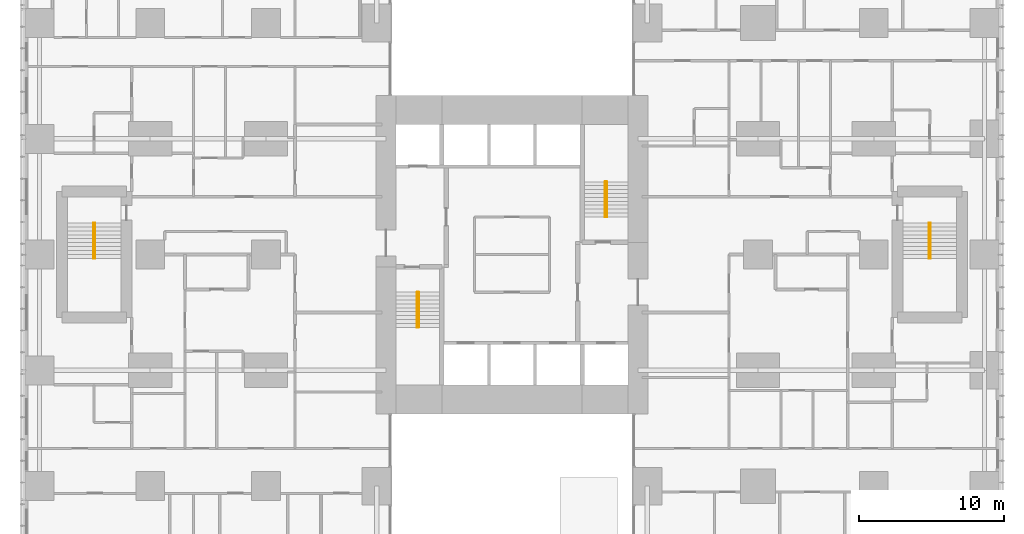
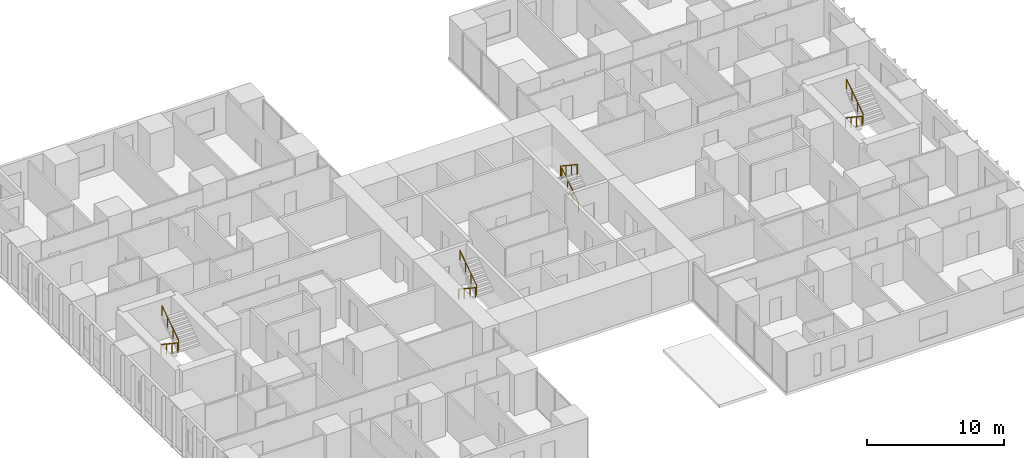
# One storey, part 22 of 22: 8 railings.
"""IFC4 building model written with IfcOpenShell, lengths in metres."""

import ifcopenshell
import ifcopenshell.guid

model = None  # the IFC model being written
_history = None  # IfcOwnerHistory: only IFC2X3 demands one
_inside = {}  # id of a spatial element -> (the spatial element, [elements in it])
_under = {}  # id of a project, library or spatial element -> (it, [spatial elements below it])
_declared = {}  # id of a project -> (the project, [libraries it declares])
_typed = {}  # id of a type object -> (the type object, [elements of that type])
_made_of = {}  # id of a material, layer set ... -> (it, [elements and type objects made of it])


def new_model(schema):
    """Start an empty IFC model of exactly this schema.

    Asked for "IFC4X3", IfcOpenShell would pick the latest addendum, in which some entities
    have other attributes; the version numbers below select the first issue.
    IFC2X3 requires an IfcOwnerHistory on every rooted entity: one is made here for all.
    """
    global model, _history
    if schema == "IFC4X3":
        model = ifcopenshell.file(schema_version=(4, 3, 0, 0))
    else:
        model = ifcopenshell.file(schema=schema)
    _inside.clear()
    _under.clear()
    _declared.clear()
    _typed.clear()
    _made_of.clear()
    _history = None
    if model.schema == "IFC2X3":
        org = make("IfcOrganization", Name="unknown")
        user = make(
            "IfcPersonAndOrganization",
            ThePerson=make("IfcPerson", FamilyName="unknown"),
            TheOrganization=org,
        )
        app = make(
            "IfcApplication",
            ApplicationDeveloper=org,
            Version="unknown",
            ApplicationFullName="unknown",
            ApplicationIdentifier="unknown",
        )
        _history = make(
            "IfcOwnerHistory",
            OwningUser=user,
            OwningApplication=app,
            ChangeAction="ADDED",
            CreationDate=0,
        )
    return model


def make(cls, **values):
    """One entity of the class cls with the attributes given. An attribute that is None is left unset."""
    return model.create_entity(
        cls, **{name: value for name, value in values.items() if value is not None}
    )


def rooted(cls, **values):
    """An entity with a GlobalId (a new one), such as an element, a storey or a relation."""
    return make(cls, GlobalId=ifcopenshell.guid.new(), OwnerHistory=_history, **values)


def si_unit(unit_type, name, prefix=None):
    """IfcSIUnit, for example si_unit("LENGTHUNIT", "METRE", prefix="MILLI")."""
    return make("IfcSIUnit", UnitType=unit_type, Prefix=prefix, Name=name)


def assignment(units):
    """IfcUnitAssignment: the units of a project."""
    return None if units is None else make("IfcUnitAssignment", Units=units)


def point(xyz):
    """IfcCartesianPoint."""
    return None if xyz is None else make("IfcCartesianPoint", Coordinates=xyz)


def direction(xyz):
    """IfcDirection."""
    return None if xyz is None else make("IfcDirection", DirectionRatios=xyz)


def frame(location, z_axis=None, x_axis=None):
    """IfcAxis2Placement3D, a coordinate frame: its origin and axes. An axis left out is left unset."""
    return make(
        "IfcAxis2Placement3D",
        Location=point(location),
        Axis=direction(z_axis),
        RefDirection=direction(x_axis),
    )


def frame_2d(location, x_axis=None):
    """IfcAxis2Placement2D, a coordinate frame in the plane: its origin and x axis."""
    return make(
        "IfcAxis2Placement2D", Location=point(location), RefDirection=direction(x_axis)
    )


def origin():
    """The frame at (0, 0, 0) with its axes left unset."""
    return frame((0.0, 0.0, 0.0))


def origin_2d():
    """The frame at (0, 0) in the plane with its x axis left unset."""
    return frame_2d((0.0, 0.0))


def place(relative_to, where):
    """IfcLocalPlacement: puts the frame where relative to a parent placement (None: the world)."""
    return make(
        "IfcLocalPlacement", PlacementRelTo=relative_to, RelativePlacement=where
    )


def context(
    kind, dimensions, precision=None, world=None, true_north=None, identifier=None
):
    """IfcGeometricRepresentationContext, for example the 3D "Model" context."""
    return make(
        "IfcGeometricRepresentationContext",
        ContextIdentifier=identifier,
        ContextType=kind,
        CoordinateSpaceDimension=dimensions,
        Precision=precision,
        WorldCoordinateSystem=world,
        TrueNorth=true_north,
    )


def subcontext(parent, identifier, kind, view, scale=None):
    """IfcGeometricRepresentationSubContext, for example "Body" below "Model"."""
    return make(
        "IfcGeometricRepresentationSubContext",
        ContextIdentifier=identifier,
        ContextType=kind,
        ParentContext=parent,
        TargetScale=scale,
        TargetView=view,
    )


def project(units=None, contexts=None):
    """IfcProject with its units and contexts."""
    return rooted(
        "IfcProject",
        Name="project",
        RepresentationContexts=contexts,
        UnitsInContext=assignment(units),
    )


def spatial(cls, under=None, at=None, **own):
    """A site, building, storey or space (cls), placed at a placement, below another one or the project."""
    s = rooted(cls, ObjectPlacement=at, **own)
    if under is not None:
        _under.setdefault(under.id(), (under, []))[1].append(s)
    return s


def profile(cls, at=None, kind="AREA", **sizes):
    """A parametric profile (cls). Its sizes go by their IFC names, for example OverallWidth=200.0."""
    return make(cls, ProfileType=kind, Position=at, **sizes)


def circle(**sizes):
    """IfcCircleProfileDef."""
    return profile("IfcCircleProfileDef", **sizes)


def extrude(swept, where, along, depth):
    """IfcExtrudedAreaSolid: the profile swept, set in the frame where, extruded along a direction by depth."""
    return make(
        "IfcExtrudedAreaSolid",
        SweptArea=swept,
        Position=where,
        ExtrudedDirection=direction(along),
        Depth=depth,
    )


def shape(context_of_items, identifier, shape_type, items):
    """IfcShapeRepresentation: the items that make up one representation, for example the "Body"."""
    return make(
        "IfcShapeRepresentation",
        ContextOfItems=context_of_items,
        RepresentationIdentifier=identifier,
        RepresentationType=shape_type,
        Items=items,
    )


def material(Name=None, Category=None):
    """IfcMaterial."""
    return make("IfcMaterial", Name=Name, Category=Category)


def made_of(thing, what):
    """Note that an element or type object is made of a material, layer set ...; save() writes the relation."""
    if what is not None:
        _made_of.setdefault(what.id(), (what, []))[1].append(thing)
    return thing


def type_object(cls, material=None, **own):
    """A type object (cls), such as IfcWallType, which elements share."""
    return made_of(rooted(cls, **own), material)


def element(
    cls,
    number,
    at=None,
    inside=None,
    cuts=None,
    type_object=None,
    material=None,
    context=None,
    identifier="Body",
    shape_type=None,
    held_by="IfcProductDefinitionShape",
    body=None,
    shapes=None,
    **own,
):
    """One element of the class cls, such as IfcWall. Its Tag is "e" and its number.

    at: its placement. inside: the storey or other place that contains it. cuts: it is an
    opening in that element (IfcRelVoidsElement). A single representation is given by context,
    identifier, shape_type and body (its items); several are given by shapes. held_by: the class
    of the entity that holds the representations. save() writes the other relations.
    """
    e = rooted(cls, Tag="e%d" % number, ObjectPlacement=at, **own)
    if body is not None:
        shapes = [shape(context, identifier, shape_type, body)]
    if shapes is not None:
        e.Representation = make(held_by, Representations=shapes)
    if inside is not None:
        _inside.setdefault(inside.id(), (inside, []))[1].append(e)
    if cuts is not None:
        rooted(
            "IfcRelVoidsElement", RelatingBuildingElement=cuts, RelatedOpeningElement=e
        )
    if type_object is not None:
        _typed.setdefault(type_object.id(), (type_object, []))[1].append(e)
    return made_of(e, material)


def aggregate(whole, parts):
    """IfcRelAggregates: a whole, such as a stair, and the parts it consists of."""
    return rooted("IfcRelAggregates", RelatingObject=whole, RelatedObjects=parts)


def save(model, path):
    """Write the relations noted so far, then the file.

    IfcRelAggregates (storeys below a building ...), IfcRelContainedInSpatialStructure (elements
    in a storey), IfcRelDefinesByType, IfcRelAssociatesMaterial and IfcRelDeclares: one each for
    every whole, place, type object, material and project.
    """
    for whole, parts in _under.values():
        aggregate(whole, parts)
    for where, things in _inside.values():
        rooted(
            "IfcRelContainedInSpatialStructure",
            RelatedElements=things,
            RelatingStructure=where,
        )
    for kind, things in _typed.values():
        rooted("IfcRelDefinesByType", RelatedObjects=things, RelatingType=kind)
    for what, things in _made_of.values():
        rooted("IfcRelAssociatesMaterial", RelatedObjects=things, RelatingMaterial=what)
    for by, libraries in _declared.values():
        rooted("IfcRelDeclares", RelatingContext=by, RelatedDefinitions=libraries)
    model.write(path)


model = new_model("IFC4")

# Units and contexts
model_context = context("Model", 3, precision=1e-05, world=origin(), true_north=direction((0.0, 1.0)))
body_context = subcontext(model_context, "Body", "Model", "MODEL_VIEW")
ifc_project = project(units=[si_unit("LENGTHUNIT", "METRE"), si_unit("AREAUNIT", "SQUARE_METRE"), si_unit("VOLUMEUNIT", "CUBIC_METRE"), si_unit("PLANEANGLEUNIT", "RADIAN"), si_unit("MASSUNIT", "GRAM", prefix="KILO")], contexts=[model_context])

# Site, building, storey
site_placement = place(None, origin())
site = spatial("IfcSite", under=ifc_project, at=site_placement, CompositionType="ELEMENT")
building_placement = place(site_placement, origin())
building = spatial("IfcBuilding", under=site, at=building_placement, Name="Cleftline Residences", CompositionType="ELEMENT")
storey_placement = place(building_placement, frame((0.0, 0.0, 29.60009765625)))
storey = spatial("IfcBuildingStorey", under=building, at=storey_placement, Name="L06", CompositionType="ELEMENT", Elevation=29.60009765625)

# Railings
ifc_material = material(Name="Stainless steel", Category="steel")
railing_type = type_object("IfcRailingType", Name="HANDRAIL 900", PredefinedType="HANDRAIL", material=ifc_material)
railing_1_placement = place(storey_placement, frame((26.449951171875, 21.39990234375, 0.179931640625)))
element("IfcRailing", 1, at=railing_1_placement, inside=storey, type_object=railing_type, Name="Stair handrail", PredefinedType="HANDRAIL", context=body_context, shape_type="SweptSolid", body=[
    extrude(circle(Radius=0.02392578125, at=origin_2d()), frame((0.0, 0.0, 0.8759765625), z_axis=(0.0, -0.832063155534, 0.554680903946), x_axis=(1.0, 0.0, 0.0)), (0.0, 0.0, 1.0), 2.92041015625),
    extrude(circle(Radius=0.02099609375, at=origin_2d()), origin(), (0.0, 0.0, 1.0), 0.851806640625),
    extrude(circle(Radius=0.02099609375, at=origin_2d()), frame((0.0, -0.81005859375, 0.5400390625)), (0.0, 0.0, 1.0), 0.851806640625),
    extrude(circle(Radius=0.02099609375, at=origin_2d()), frame((0.0, -1.619873046875, 1.079833984375)), (0.0, 0.0, 1.0), 0.851806640625),
    extrude(circle(Radius=0.02099609375, at=origin_2d()), frame((0.0, -2.429931640625, 1.619873046875)), (0.0, 0.0, 1.0), 0.851806640625),
])
for number, where, name in (
    (2, (26.550048828125, 18.969970703125, 1.97998046875), "Stair handrail"),
    (3, (39.550048828125, 26.60009765625, 0.179931640625), "Stair handrail"),
):
    element("IfcRailing", number, at=place(storey_placement, frame(where)), inside=storey, type_object=railing_type, Name=name, PredefinedType="HANDRAIL", context=body_context, shape_type="SweptSolid", body=[
        extrude(circle(Radius=0.02392578125, at=origin_2d()), frame((0.0, 0.0, 0.8759765625), z_axis=(0.0, 0.832063155534, 0.554680903946), x_axis=(-1.0, 0.0, 0.0)), (0.0, 0.0, 1.0), 2.92041015625),
        extrude(circle(Radius=0.02099609375, at=origin_2d()), origin(), (0.0, 0.0, 1.0), 0.851806640625),
        extrude(circle(Radius=0.02099609375, at=origin_2d()), frame((0.0, 0.81005859375, 0.5400390625)), (0.0, 0.0, 1.0), 0.851806640625),
        extrude(circle(Radius=0.02099609375, at=origin_2d()), frame((0.0, 1.619873046875, 1.079833984375)), (0.0, 0.0, 1.0), 0.851806640625),
        extrude(circle(Radius=0.02099609375, at=origin_2d()), frame((0.0, 2.429931640625, 1.619873046875)), (0.0, 0.0, 1.0), 0.851806640625),
    ])
for number, where, name in (
    (4, (39.449951171875, 29.030029296875, 1.97998046875), "Stair handrail"),
    (5, (61.824951171875, 26.175048828125, 0.179931640625), "Stair handrail"),
):
    element("IfcRailing", number, at=place(storey_placement, frame(where)), inside=storey, type_object=railing_type, Name=name, PredefinedType="HANDRAIL", context=body_context, shape_type="SweptSolid", body=[
        extrude(circle(Radius=0.02392578125, at=origin_2d()), frame((0.0, 0.0, 0.8759765625), z_axis=(0.0, -0.832063155534, 0.554680903946), x_axis=(1.0, 0.0, 0.0)), (0.0, 0.0, 1.0), 2.92041015625),
        extrude(circle(Radius=0.02099609375, at=origin_2d()), origin(), (0.0, 0.0, 1.0), 0.851806640625),
        extrude(circle(Radius=0.02099609375, at=origin_2d()), frame((0.0, -0.81005859375, 0.5400390625)), (0.0, 0.0, 1.0), 0.851806640625),
        extrude(circle(Radius=0.02099609375, at=origin_2d()), frame((0.0, -1.619873046875, 1.079833984375)), (0.0, 0.0, 1.0), 0.851806640625),
        extrude(circle(Radius=0.02099609375, at=origin_2d()), frame((0.0, -2.429931640625, 1.619873046875)), (0.0, 0.0, 1.0), 0.851806640625),
    ])
railing_2_placement = place(storey_placement, frame((61.925048828125, 23.7451171875, 1.97998046875)))
element("IfcRailing", 6, at=railing_2_placement, inside=storey, type_object=railing_type, Name="Stair handrail", PredefinedType="HANDRAIL", context=body_context, shape_type="SweptSolid", body=[
    extrude(circle(Radius=0.02392578125, at=origin_2d()), frame((0.0, 0.0, 0.8759765625), z_axis=(0.0, 0.832063155534, 0.554680903946), x_axis=(-1.0, 0.0, 0.0)), (0.0, 0.0, 1.0), 2.92041015625),
    extrude(circle(Radius=0.02099609375, at=origin_2d()), origin(), (0.0, 0.0, 1.0), 0.851806640625),
    extrude(circle(Radius=0.02099609375, at=origin_2d()), frame((0.0, 0.81005859375, 0.5400390625)), (0.0, 0.0, 1.0), 0.851806640625),
    extrude(circle(Radius=0.02099609375, at=origin_2d()), frame((0.0, 1.619873046875, 1.079833984375)), (0.0, 0.0, 1.0), 0.851806640625),
    extrude(circle(Radius=0.02099609375, at=origin_2d()), frame((0.0, 2.429931640625, 1.619873046875)), (0.0, 0.0, 1.0), 0.851806640625),
])
railing_3_placement = place(storey_placement, frame((4.074951171875, 26.175048828125, 0.179931640625)))
element("IfcRailing", 7, at=railing_3_placement, inside=storey, type_object=railing_type, Name="Stair handrail", PredefinedType="HANDRAIL", context=body_context, shape_type="SweptSolid", body=[
    extrude(circle(Radius=0.02392578125, at=origin_2d()), frame((0.0, 0.0, 0.8759765625), z_axis=(0.0, -0.832063155534, 0.554680903946), x_axis=(1.0, 0.0, 0.0)), (0.0, 0.0, 1.0), 2.92041015625),
    extrude(circle(Radius=0.02099609375, at=origin_2d()), origin(), (0.0, 0.0, 1.0), 0.851806640625),
    extrude(circle(Radius=0.02099609375, at=origin_2d()), frame((0.0, -0.81005859375, 0.5400390625)), (0.0, 0.0, 1.0), 0.851806640625),
    extrude(circle(Radius=0.02099609375, at=origin_2d()), frame((0.0, -1.619873046875, 1.079833984375)), (0.0, 0.0, 1.0), 0.851806640625),
    extrude(circle(Radius=0.02099609375, at=origin_2d()), frame((0.0, -2.429931640625, 1.619873046875)), (0.0, 0.0, 1.0), 0.851806640625),
])
railing_4_placement = place(storey_placement, frame((4.175048828125, 23.7451171875, 1.97998046875)))
element("IfcRailing", 8, at=railing_4_placement, inside=storey, type_object=railing_type, Name="Stair handrail", PredefinedType="HANDRAIL", context=body_context, shape_type="SweptSolid", body=[
    extrude(circle(Radius=0.02392578125, at=origin_2d()), frame((0.0, 0.0, 0.8759765625), z_axis=(0.0, 0.832063155534, 0.554680903946), x_axis=(-1.0, 0.0, 0.0)), (0.0, 0.0, 1.0), 2.92041015625),
    extrude(circle(Radius=0.02099609375, at=origin_2d()), origin(), (0.0, 0.0, 1.0), 0.851806640625),
    extrude(circle(Radius=0.02099609375, at=origin_2d()), frame((0.0, 0.81005859375, 0.5400390625)), (0.0, 0.0, 1.0), 0.851806640625),
    extrude(circle(Radius=0.02099609375, at=origin_2d()), frame((0.0, 1.619873046875, 1.079833984375)), (0.0, 0.0, 1.0), 0.851806640625),
    extrude(circle(Radius=0.02099609375, at=origin_2d()), frame((0.0, 2.429931640625, 1.619873046875)), (0.0, 0.0, 1.0), 0.851806640625),
])

save(model, "model.ifc")
